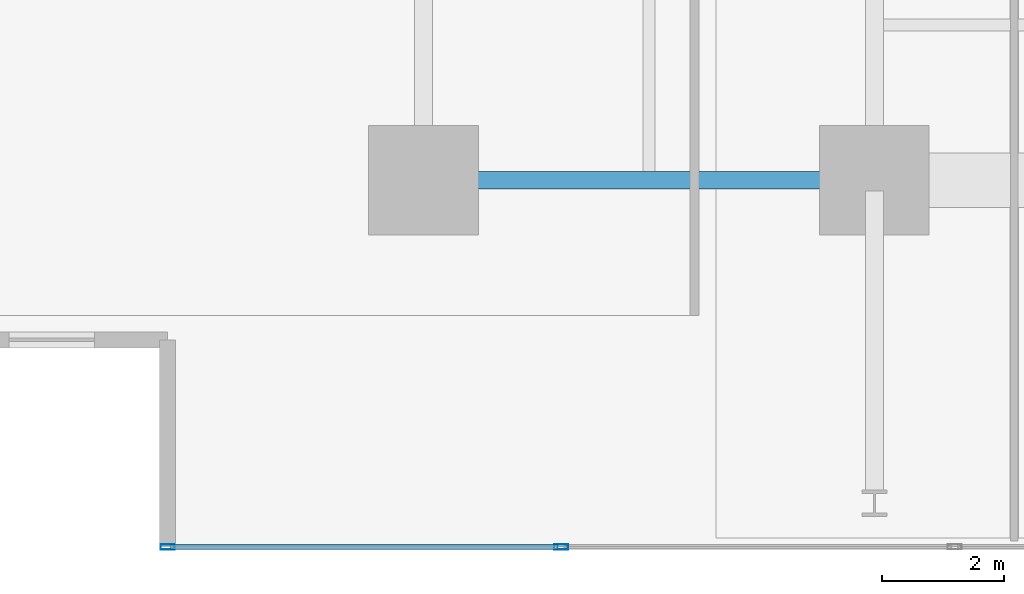
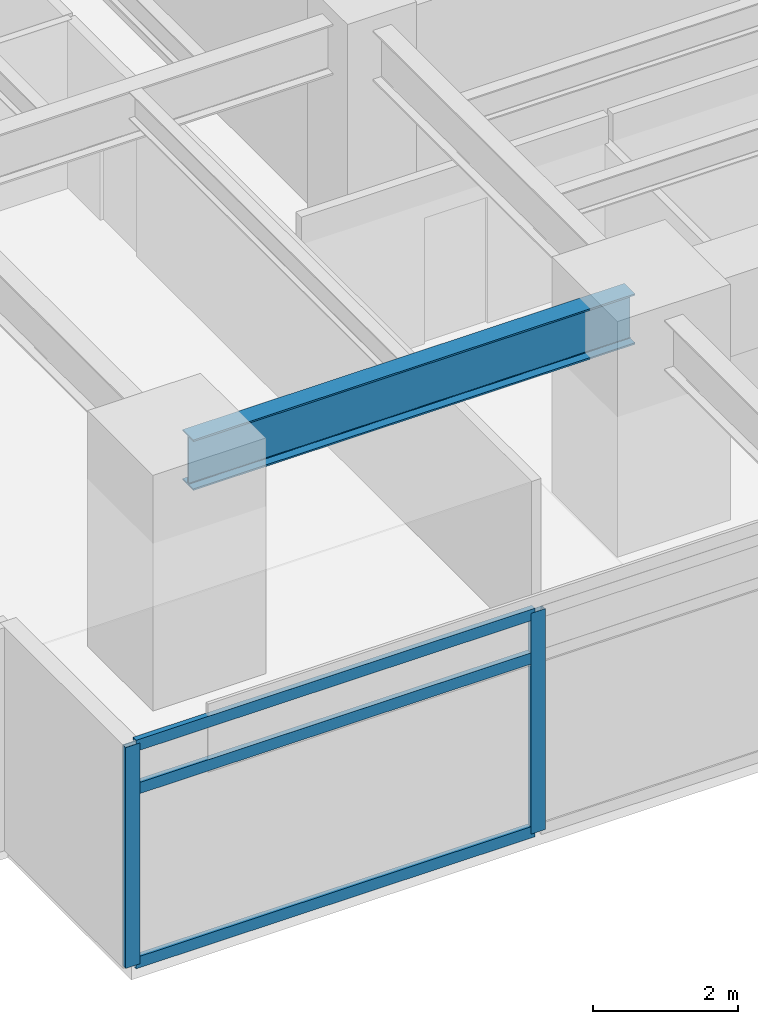
# One storey, part 2 of 22: 5 members, 1 beam, 1 element without a shape of its own.
"""IFC4 building model written with IfcOpenShell, lengths in metres."""

from ifc_helpers import new_model, si_unit, direction, frame, origin, origin_2d, place, context, subcontext, project, spatial, hollow_rectangle, i_section, extrude, material, material_profile, profile_set, type_object, element, aggregate, save


model = new_model("IFC4")

# Units and contexts
model_context = context("Model", 3, precision=1e-05, world=origin(), true_north=direction((0.0, 1.0)))
body_context = subcontext(model_context, "Body", "Model", "MODEL_VIEW")
ifc_project = project(units=[si_unit("LENGTHUNIT", "METRE"), si_unit("AREAUNIT", "SQUARE_METRE"), si_unit("VOLUMEUNIT", "CUBIC_METRE"), si_unit("PLANEANGLEUNIT", "RADIAN"), si_unit("MASSUNIT", "GRAM", prefix="KILO")], contexts=[model_context])

# Site, building, storey
site_placement = place(None, origin())
site = spatial("IfcSite", under=ifc_project, at=site_placement, CompositionType="ELEMENT")
building_placement = place(site_placement, origin())
building = spatial("IfcBuilding", under=site, at=building_placement, Name="Kovane Verandah Tower", CompositionType="ELEMENT")
storey_placement = place(building_placement, frame((0.0, 0.0, 99.60009765625)))
storey = spatial("IfcBuildingStorey", under=building, at=storey_placement, Name="L23", CompositionType="ELEMENT", Elevation=99.60009765625)

# Beam
ifc_material_1 = material(Name="Steel S355", Category="steel")
ifc_material_profile_1 = material_profile(ifc_material_1, i_section(OverallWidth=0.293701171875, OverallDepth=0.850830078125, WebThickness=0.01611328125, FlangeThickness=0.02685546875, FilletRadius=0.017822265625, at=origin_2d()), Name="UB838x292x226")
ifc_profile_set_1 = profile_set([ifc_material_profile_1], Name="Steel S355")
beam_type = type_object("IfcBeamType", Name="BM-UB838x226", PredefinedType="BEAM", material=ifc_profile_set_1)
beam_placement = place(storey_placement, frame((21.780029296875, 10.800048828125, 3.33447265625), z_axis=(1.0, 0.0, 0.0), x_axis=(0.0, 1.0, 0.0)))
element("IfcBeam", 1, at=beam_placement, inside=storey, type_object=beam_type, Name="L23 Primary Tower Girder G-RS1", PredefinedType="BEAM", context=body_context, shape_type="SweptSolid", body=[
    extrude(i_section(OverallWidth=0.293701171875, OverallDepth=0.850830078125, WebThickness=0.01611328125, FlangeThickness=0.02685546875, FilletRadius=0.017822265625, at=origin_2d()), origin(), (0.0, 0.0, 1.0), 7.0400390625),
])

# Curtain wall, members
ifc_material_2 = material(Name="Champagne Anodised Aluminium Frame with Low-E Clear Laminated Glass", Category="aluminium")
curtain_wall_type = type_object("IfcCurtainWallType", Name="CW-SYS-02-LOW", PredefinedType="NOTDEFINED", material=ifc_material_2)
curtain_wall_placement = place(storey_placement, origin())
curtain_wall = element("IfcCurtainWall", 2, at=curtain_wall_placement, inside=storey, type_object=curtain_wall_type, Name="L23 S Unitised Curtain Wall", PredefinedType="NOTDEFINED")
ifc_material_3 = material(Name="Champagne Anodised Aluminium 6063-T6", Category="aluminium")
ifc_material_profile_2 = material_profile(ifc_material_3, hollow_rectangle(XDim=0.0849609375, YDim=0.22998046875, WallThickness=0.00390625, at=origin_2d()), Name="AL85x230x4")
ifc_profile_set_2 = profile_set([ifc_material_profile_2], Name="Champagne Anodised Aluminium 6063-T6")
member_type_1 = type_object("IfcMemberType", Name="CW-MUL-85x230", PredefinedType="MULLION", material=ifc_profile_set_2)
member_1_placement = place(storey_placement, frame((17.4013671875, 4.781005859375, 0.02001953125), z_axis=(0.0, 0.0, 1.0), x_axis=(0.0, -1.0, 0.0)))
member_1 = element("IfcMember", 3, at=member_1_placement, type_object=member_type_1, Name="L23 S Unitised Curtain Wall Mullion 1", PredefinedType="MULLION", context=body_context, shape_type="SweptSolid", body=[
    extrude(hollow_rectangle(XDim=0.0849609375, YDim=0.22998046875, WallThickness=0.00390625, at=origin_2d()), origin(), (0.0, 0.0, 1.0), 3.719970703125),
])
member_2_placement = place(storey_placement, frame((23.858154296875, 4.781005859375, 0.02001953125), z_axis=(0.0, 0.0, 1.0), x_axis=(0.0, -1.0, 0.0)))
member_2 = element("IfcMember", 4, at=member_2_placement, type_object=member_type_1, Name="L23 S Unitised Curtain Wall Mullion 2", PredefinedType="MULLION", context=body_context, shape_type="SweptSolid", body=[
    extrude(hollow_rectangle(XDim=0.0849609375, YDim=0.22998046875, WallThickness=0.00390625, at=origin_2d()), origin(), (0.0, 0.0, 1.0), 3.719970703125),
])
ifc_material_profile_3 = material_profile(ifc_material_3, hollow_rectangle(XDim=0.0849609375, YDim=0.18994140625, WallThickness=0.00390625, at=origin_2d()), Name="AL85x190x4")
ifc_profile_set_3 = profile_set([ifc_material_profile_3], Name="Champagne Anodised Aluminium 6063-T6")
member_type_2 = type_object("IfcMemberType", Name="CW-TRN-85x190", PredefinedType="USERDEFINED", material=ifc_profile_set_3)
member_3_placement = place(storey_placement, frame((17.451416015625, 4.781005859375, 0.0498046875), z_axis=(1.0, 0.0, 0.0), x_axis=(0.0, 1.0, 0.0)))
member_3 = element("IfcMember", 5, at=member_3_placement, type_object=member_type_2, Name="L23 S Unitised Curtain Wall Transom TB Bay 1", ObjectType="TRANSOM", PredefinedType="USERDEFINED", context=body_context, shape_type="SweptSolid", body=[
    extrude(hollow_rectangle(XDim=0.0849609375, YDim=0.18994140625, WallThickness=0.00390625, at=origin_2d()), origin(), (0.0, 0.0, 1.0), 6.356689453125),
])
member_4_placement = place(storey_placement, frame((17.451416015625, 4.781005859375, 2.97998046875), z_axis=(1.0, 0.0, 0.0), x_axis=(0.0, 1.0, 0.0)))
member_4 = element("IfcMember", 6, at=member_4_placement, type_object=member_type_2, Name="L23 S Unitised Curtain Wall Transom TM Bay 1", ObjectType="TRANSOM", PredefinedType="USERDEFINED", context=body_context, shape_type="SweptSolid", body=[
    extrude(hollow_rectangle(XDim=0.0849609375, YDim=0.18994140625, WallThickness=0.00390625, at=origin_2d()), origin(), (0.0, 0.0, 1.0), 6.356689453125),
])
member_5_placement = place(storey_placement, frame((17.451416015625, 4.781005859375, 3.7099609375), z_axis=(1.0, 0.0, 0.0), x_axis=(0.0, 1.0, 0.0)))
member_5 = element("IfcMember", 7, at=member_5_placement, type_object=member_type_2, Name="L23 S Unitised Curtain Wall Transom TT Bay 1", ObjectType="TRANSOM", PredefinedType="USERDEFINED", context=body_context, shape_type="SweptSolid", body=[
    extrude(hollow_rectangle(XDim=0.0849609375, YDim=0.18994140625, WallThickness=0.00390625, at=origin_2d()), origin(), (0.0, 0.0, 1.0), 6.356689453125),
])
aggregate(curtain_wall, [member_1, member_2, member_3, member_4, member_5])

save(model, "model.ifc")
